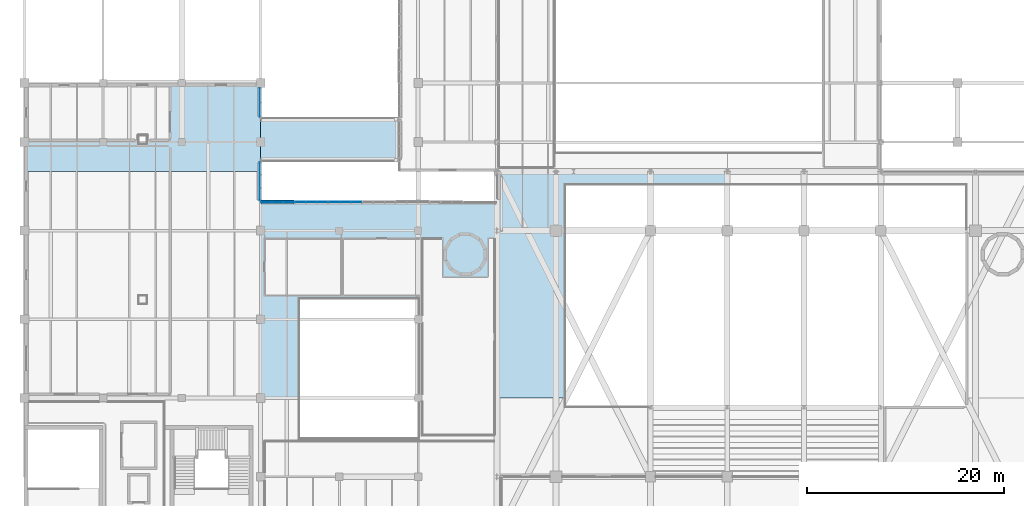
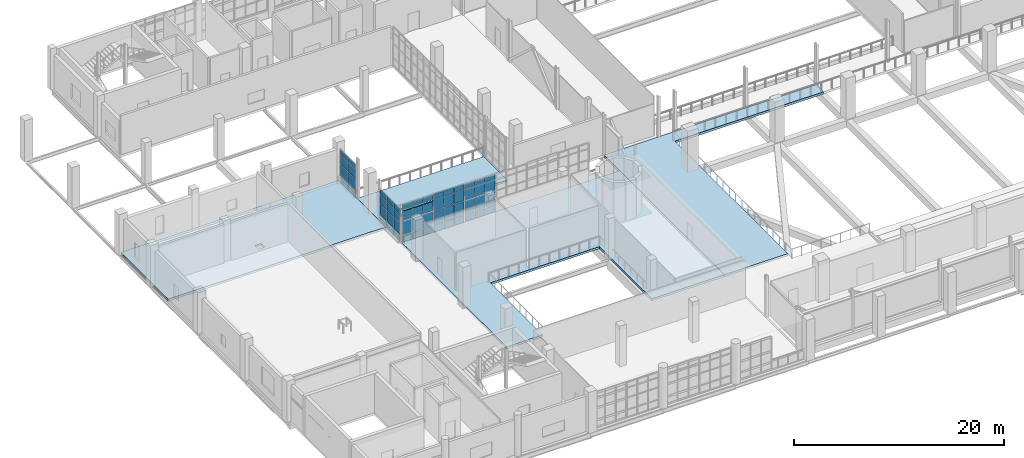
# One storey, part 62 of 100: 57 plates, 4 slabs, 5 elements without a shape of their own.
"""IFC4 building model written with IfcOpenShell, lengths in metres."""

from ifc_helpers import new_model, si_unit, derived_unit, direction, frame, origin, origin_2d, place, context, subcontext, project, spatial, polyline, rectangle, outline, extrude, material, layer, layer_set, type_object, element, aggregate, save


model = new_model("IFC4")

# Units and contexts
model_context = context("Model", 3, precision=1e-05, world=origin(), true_north=direction((0.0, 1.0)))
body_context = subcontext(model_context, "Body", "Model", "MODEL_VIEW")
ifc_project = project(units=[si_unit("LENGTHUNIT", "METRE"), si_unit("AREAUNIT", "SQUARE_METRE"), si_unit("VOLUMEUNIT", "CUBIC_METRE"), si_unit("PLANEANGLEUNIT", "RADIAN"), si_unit("MASSUNIT", "GRAM", prefix="KILO"), derived_unit("THERMALTRANSMITTANCEUNIT", [(si_unit("POWERUNIT", "WATT"), 1), (si_unit("LENGTHUNIT", "METRE"), -2), (si_unit("THERMODYNAMICTEMPERATUREUNIT", "KELVIN"), -1)])], contexts=[model_context])

# Site, building, storey
site_placement = place(None, origin())
site = spatial("IfcSite", under=ifc_project, at=site_placement, CompositionType="ELEMENT")
building_placement = place(site_placement, origin())
building = spatial("IfcBuilding", under=site, at=building_placement, Name="Nallur Shell Playhouse", CompositionType="ELEMENT")
storey_placement = place(building_placement, frame((0.0, 0.0, 10.199951171875)))
storey = spatial("IfcBuildingStorey", under=building, at=storey_placement, Name="L03", CompositionType="ELEMENT", Elevation=10.199951171875)

# Curtain wall, plates
ifc_material_1 = material(Name="Anodised Aluminium Double-Glazed Facade System", Category="aluminium")
ifc_layer_1 = layer(ifc_material_1, 0.172119140625)
ifc_layer_set_1 = layer_set([ifc_layer_1], Name="Anodised Aluminium Double-Glazed Facade System")
curtain_wall_type_1 = type_object("IfcCurtainWallType", Name="CW-UNIT-27", PredefinedType="NOTDEFINED", material=ifc_layer_set_1)
curtain_wall_1_placement = place(storey_placement, origin())
curtain_wall_1 = element("IfcCurtainWall", 1, at=curtain_wall_1_placement, inside=storey, type_object=curtain_wall_type_1, Name="Unitised curtain wall CW-059 (L03)", PredefinedType="NOTDEFINED")
ifc_material_2 = material(Name="Solar-Control Low-E Laminated Insulating Glass", Category="glass")
ifc_layer_2 = layer(ifc_material_2, 0.030029296875)
ifc_layer_set_2 = layer_set([ifc_layer_2], Name="Solar-Control Low-E Laminated Insulating Glass")
plate_type_1 = type_object("IfcPlateType", Name="PT-GLZ-03", PredefinedType="CURTAIN_PANEL", material=ifc_layer_set_2)
plate_1_placement = place(storey_placement, frame((39.909912109375, 47.313232421875, 0.05712890625), z_axis=(0.0, 0.0, 1.0), x_axis=(0.0, -1.0, 0.0)))
plate_1 = element("IfcPlate", 2, at=plate_1_placement, type_object=plate_type_1, Name="CW-27 panel 1.1", PredefinedType="CURTAIN_PANEL", context=body_context, shape_type="SweptSolid", body=[
    extrude(rectangle(XDim=1.229248046875, YDim=0.030029296875, at=origin_2d()), origin(), (0.0, 0.0, 1.0), 0.818603515625),
])
plate_2_placement = place(storey_placement, frame((39.909912109375, 47.313232421875, 0.9248046875), z_axis=(0.0, 0.0, 1.0), x_axis=(0.0, -1.0, 0.0)))
plate_2 = element("IfcPlate", 3, at=plate_2_placement, type_object=plate_type_1, Name="CW-27 panel 1.2", PredefinedType="CURTAIN_PANEL", context=body_context, shape_type="SweptSolid", body=[
    extrude(rectangle(XDim=1.229248046875, YDim=0.030029296875, at=origin_2d()), origin(), (0.0, 0.0, 1.0), 1.242919921875),
])
plate_3_placement = place(storey_placement, frame((39.909912109375, 47.313232421875, 2.216796875), z_axis=(0.0, 0.0, 1.0), x_axis=(0.0, -1.0, 0.0)))
plate_3 = element("IfcPlate", 4, at=plate_3_placement, type_object=plate_type_1, Name="CW-27 panel 1.3", PredefinedType="CURTAIN_PANEL", context=body_context, shape_type="SweptSolid", body=[
    extrude(rectangle(XDim=1.229248046875, YDim=0.030029296875, at=origin_2d()), origin(), (0.0, 0.0, 1.0), 0.993896484375),
])
plate_4_placement = place(storey_placement, frame((39.909912109375, 47.313232421875, 3.259765625), z_axis=(0.0, 0.0, 1.0), x_axis=(0.0, -1.0, 0.0)))
plate_4 = element("IfcPlate", 5, at=plate_4_placement, type_object=plate_type_1, Name="CW-27 panel 1.4", PredefinedType="CURTAIN_PANEL", context=body_context, shape_type="SweptSolid", body=[
    extrude(rectangle(XDim=1.229248046875, YDim=0.030029296875, at=origin_2d()), origin(), (0.0, 0.0, 1.0), 0.598388671875),
])
plate_5_placement = place(storey_placement, frame((39.909912109375, 46.0, 0.05712890625), z_axis=(0.0, 0.0, 1.0), x_axis=(0.0, -1.0, 0.0)))
plate_5 = element("IfcPlate", 6, at=plate_5_placement, type_object=plate_type_1, Name="CW-27 panel 2.1", PredefinedType="CURTAIN_PANEL", context=body_context, shape_type="SweptSolid", body=[
    extrude(rectangle(XDim=1.269287109375, YDim=0.030029296875, at=origin_2d()), origin(), (0.0, 0.0, 1.0), 0.818603515625),
])
plate_6_placement = place(storey_placement, frame((39.909912109375, 46.0, 0.9248046875), z_axis=(0.0, 0.0, 1.0), x_axis=(0.0, -1.0, 0.0)))
plate_6 = element("IfcPlate", 7, at=plate_6_placement, type_object=plate_type_1, Name="CW-27 panel 2.2", PredefinedType="CURTAIN_PANEL", context=body_context, shape_type="SweptSolid", body=[
    extrude(rectangle(XDim=1.269287109375, YDim=0.030029296875, at=origin_2d()), origin(), (0.0, 0.0, 1.0), 1.242919921875),
])
plate_7_placement = place(storey_placement, frame((39.909912109375, 46.0, 2.216796875), z_axis=(0.0, 0.0, 1.0), x_axis=(0.0, -1.0, 0.0)))
plate_7 = element("IfcPlate", 8, at=plate_7_placement, type_object=plate_type_1, Name="CW-27 panel 2.3", PredefinedType="CURTAIN_PANEL", context=body_context, shape_type="SweptSolid", body=[
    extrude(rectangle(XDim=1.269287109375, YDim=0.030029296875, at=origin_2d()), origin(), (0.0, 0.0, 1.0), 0.993896484375),
])
plate_8_placement = place(storey_placement, frame((39.909912109375, 46.0, 3.259765625), z_axis=(0.0, 0.0, 1.0), x_axis=(0.0, -1.0, 0.0)))
plate_8 = element("IfcPlate", 9, at=plate_8_placement, type_object=plate_type_1, Name="CW-27 panel 2.4", PredefinedType="CURTAIN_PANEL", context=body_context, shape_type="SweptSolid", body=[
    extrude(rectangle(XDim=1.269287109375, YDim=0.030029296875, at=origin_2d()), origin(), (0.0, 0.0, 1.0), 0.598388671875),
])
plate_9_placement = place(storey_placement, frame((39.909912109375, 44.686767578125, 0.05712890625), z_axis=(0.0, 0.0, 1.0), x_axis=(0.0, -1.0, 0.0)))
plate_9 = element("IfcPlate", 10, at=plate_9_placement, type_object=plate_type_1, Name="CW-27 panel 3.1", PredefinedType="CURTAIN_PANEL", context=body_context, shape_type="SweptSolid", body=[
    extrude(rectangle(XDim=1.229248046875, YDim=0.030029296875, at=origin_2d()), origin(), (0.0, 0.0, 1.0), 0.818603515625),
])
plate_10_placement = place(storey_placement, frame((39.909912109375, 44.686767578125, 0.9248046875), z_axis=(0.0, 0.0, 1.0), x_axis=(0.0, -1.0, 0.0)))
plate_10 = element("IfcPlate", 11, at=plate_10_placement, type_object=plate_type_1, Name="CW-27 panel 3.2", PredefinedType="CURTAIN_PANEL", context=body_context, shape_type="SweptSolid", body=[
    extrude(rectangle(XDim=1.229248046875, YDim=0.030029296875, at=origin_2d()), origin(), (0.0, 0.0, 1.0), 1.242919921875),
])
plate_11_placement = place(storey_placement, frame((39.909912109375, 44.686767578125, 2.216796875), z_axis=(0.0, 0.0, 1.0), x_axis=(0.0, -1.0, 0.0)))
plate_11 = element("IfcPlate", 12, at=plate_11_placement, type_object=plate_type_1, Name="CW-27 panel 3.3", PredefinedType="CURTAIN_PANEL", context=body_context, shape_type="SweptSolid", body=[
    extrude(rectangle(XDim=1.229248046875, YDim=0.030029296875, at=origin_2d()), origin(), (0.0, 0.0, 1.0), 0.993896484375),
])
plate_12_placement = place(storey_placement, frame((39.909912109375, 44.686767578125, 3.259765625), z_axis=(0.0, 0.0, 1.0), x_axis=(0.0, -1.0, 0.0)))
plate_12 = element("IfcPlate", 13, at=plate_12_placement, type_object=plate_type_1, Name="CW-27 panel 3.4", PredefinedType="CURTAIN_PANEL", context=body_context, shape_type="SweptSolid", body=[
    extrude(rectangle(XDim=1.229248046875, YDim=0.030029296875, at=origin_2d()), origin(), (0.0, 0.0, 1.0), 0.598388671875),
])
aggregate(curtain_wall_1, [plate_1, plate_2, plate_3, plate_4, plate_5, plate_6, plate_7, plate_8, plate_9, plate_10, plate_11, plate_12])

ifc_layer_3 = layer(ifc_material_1, 0.176025390625)
ifc_layer_set_3 = layer_set([ifc_layer_3], Name="Anodised Aluminium Double-Glazed Facade System")
curtain_wall_type_2 = type_object("IfcCurtainWallType", Name="CW-UNIT-28", PredefinedType="NOTDEFINED", material=ifc_layer_set_3)
curtain_wall_2_placement = place(storey_placement, origin())
curtain_wall_2 = element("IfcCurtainWall", 14, at=curtain_wall_2_placement, inside=storey, type_object=curtain_wall_type_2, Name="Unitised curtain wall CW-060 (L03)", PredefinedType="NOTDEFINED")
ifc_layer_4 = layer(ifc_material_2, 0.031982421875)
ifc_layer_set_4 = layer_set([ifc_layer_4], Name="Solar-Control Low-E Laminated Insulating Glass")
plate_type_2 = type_object("IfcPlateType", Name="PT-GLZ-04", PredefinedType="CURTAIN_PANEL", material=ifc_layer_set_4)
plate_13_placement = place(storey_placement, frame((40.58935546875, 43.909912109375, 0.092041015625), z_axis=(0.0, 0.0, 1.0), x_axis=(1.0, 0.0, 0.0)))
plate_13 = element("IfcPlate", 15, at=plate_13_placement, type_object=plate_type_2, Name="CW-28 panel 1.1", PredefinedType="CURTAIN_PANEL", context=body_context, shape_type="SweptSolid", body=[
    extrude(rectangle(XDim=1.044677734375, YDim=0.031982421875, at=origin_2d()), origin(), (0.0, 0.0, 1.0), 0.76611328125),
])
plate_14_placement = place(storey_placement, frame((40.58935546875, 43.909912109375, 0.94189453125), z_axis=(0.0, 0.0, 1.0), x_axis=(1.0, 0.0, 0.0)))
plate_14 = element("IfcPlate", 16, at=plate_14_placement, type_object=plate_type_2, Name="CW-28 panel 1.2", PredefinedType="CURTAIN_PANEL", context=body_context, shape_type="SweptSolid", body=[
    extrude(rectangle(XDim=1.044677734375, YDim=0.031982421875, at=origin_2d()), origin(), (0.0, 0.0, 1.0), 1.55810546875),
])
plate_15_placement = place(storey_placement, frame((40.58935546875, 43.909912109375, 2.583984375), z_axis=(0.0, 0.0, 1.0), x_axis=(1.0, 0.0, 0.0)))
plate_15 = element("IfcPlate", 17, at=plate_15_placement, type_object=plate_type_2, Name="CW-28 panel 1.3", PredefinedType="CURTAIN_PANEL", context=body_context, shape_type="SweptSolid", body=[
    extrude(rectangle(XDim=1.044677734375, YDim=0.031982421875, at=origin_2d()), origin(), (0.0, 0.0, 1.0), 1.23388671875),
])
plate_16_placement = place(storey_placement, frame((40.58935546875, 43.909912109375, 3.902099609375), z_axis=(0.0, 0.0, 1.0), x_axis=(1.0, 0.0, 0.0)))
plate_16 = element("IfcPlate", 18, at=plate_16_placement, type_object=plate_type_2, Name="CW-28 panel 1.4", PredefinedType="CURTAIN_PANEL", context=body_context, shape_type="SweptSolid", body=[
    extrude(rectangle(XDim=1.044677734375, YDim=0.031982421875, at=origin_2d()), origin(), (0.0, 0.0, 1.0), 0.5458984375),
])
plate_17_placement = place(storey_placement, frame((41.7119140625, 43.909912109375, 0.092041015625), z_axis=(0.0, 0.0, 1.0), x_axis=(1.0, 0.0, 0.0)))
plate_17 = element("IfcPlate", 19, at=plate_17_placement, type_object=plate_type_2, Name="CW-28 panel 2.1", PredefinedType="CURTAIN_PANEL", context=body_context, shape_type="SweptSolid", body=[
    extrude(rectangle(XDim=1.082275390625, YDim=0.031982421875, at=origin_2d()), origin(), (0.0, 0.0, 1.0), 0.76611328125),
])
plate_18_placement = place(storey_placement, frame((41.7119140625, 43.909912109375, 0.94189453125), z_axis=(0.0, 0.0, 1.0), x_axis=(1.0, 0.0, 0.0)))
plate_18 = element("IfcPlate", 20, at=plate_18_placement, type_object=plate_type_2, Name="CW-28 panel 2.2", PredefinedType="CURTAIN_PANEL", context=body_context, shape_type="SweptSolid", body=[
    extrude(rectangle(XDim=1.082275390625, YDim=0.031982421875, at=origin_2d()), origin(), (0.0, 0.0, 1.0), 1.55810546875),
])
plate_19_placement = place(storey_placement, frame((41.7119140625, 43.909912109375, 2.583984375), z_axis=(0.0, 0.0, 1.0), x_axis=(1.0, 0.0, 0.0)))
plate_19 = element("IfcPlate", 21, at=plate_19_placement, type_object=plate_type_2, Name="CW-28 panel 2.3", PredefinedType="CURTAIN_PANEL", context=body_context, shape_type="SweptSolid", body=[
    extrude(rectangle(XDim=1.082275390625, YDim=0.031982421875, at=origin_2d()), origin(), (0.0, 0.0, 1.0), 1.23388671875),
])
plate_20_placement = place(storey_placement, frame((41.7119140625, 43.909912109375, 3.902099609375), z_axis=(0.0, 0.0, 1.0), x_axis=(1.0, 0.0, 0.0)))
plate_20 = element("IfcPlate", 22, at=plate_20_placement, type_object=plate_type_2, Name="CW-28 panel 2.4", PredefinedType="CURTAIN_PANEL", context=body_context, shape_type="SweptSolid", body=[
    extrude(rectangle(XDim=1.082275390625, YDim=0.031982421875, at=origin_2d()), origin(), (0.0, 0.0, 1.0), 0.5458984375),
])
plate_21_placement = place(storey_placement, frame((42.834228515625, 43.909912109375, 0.092041015625), z_axis=(0.0, 0.0, 1.0), x_axis=(1.0, 0.0, 0.0)))
plate_21 = element("IfcPlate", 23, at=plate_21_placement, type_object=plate_type_2, Name="CW-28 panel 3.1", PredefinedType="CURTAIN_PANEL", context=body_context, shape_type="SweptSolid", body=[
    extrude(rectangle(XDim=1.044677734375, YDim=0.031982421875, at=origin_2d()), origin(), (0.0, 0.0, 1.0), 0.76611328125),
])
plate_22_placement = place(storey_placement, frame((42.834228515625, 43.909912109375, 0.94189453125), z_axis=(0.0, 0.0, 1.0), x_axis=(1.0, 0.0, 0.0)))
plate_22 = element("IfcPlate", 24, at=plate_22_placement, type_object=plate_type_2, Name="CW-28 panel 3.2", PredefinedType="CURTAIN_PANEL", context=body_context, shape_type="SweptSolid", body=[
    extrude(rectangle(XDim=1.044677734375, YDim=0.031982421875, at=origin_2d()), origin(), (0.0, 0.0, 1.0), 1.55810546875),
])
plate_23_placement = place(storey_placement, frame((42.834228515625, 43.909912109375, 2.583984375), z_axis=(0.0, 0.0, 1.0), x_axis=(1.0, 0.0, 0.0)))
plate_23 = element("IfcPlate", 25, at=plate_23_placement, type_object=plate_type_2, Name="CW-28 panel 3.3", PredefinedType="CURTAIN_PANEL", context=body_context, shape_type="SweptSolid", body=[
    extrude(rectangle(XDim=1.044677734375, YDim=0.031982421875, at=origin_2d()), origin(), (0.0, 0.0, 1.0), 1.23388671875),
])
plate_24_placement = place(storey_placement, frame((42.834228515625, 43.909912109375, 3.902099609375), z_axis=(0.0, 0.0, 1.0), x_axis=(1.0, 0.0, 0.0)))
plate_24 = element("IfcPlate", 26, at=plate_24_placement, type_object=plate_type_2, Name="CW-28 panel 3.4", PredefinedType="CURTAIN_PANEL", context=body_context, shape_type="SweptSolid", body=[
    extrude(rectangle(XDim=1.044677734375, YDim=0.031982421875, at=origin_2d()), origin(), (0.0, 0.0, 1.0), 0.5458984375),
])
aggregate(curtain_wall_2, [plate_13, plate_14, plate_15, plate_16, plate_17, plate_18, plate_19, plate_20, plate_21, plate_22, plate_23, plate_24])

ifc_layer_5 = layer(ifc_material_1, 0.179931640625)
ifc_layer_set_5 = layer_set([ifc_layer_5], Name="Anodised Aluminium Double-Glazed Facade System")
curtain_wall_type_3 = type_object("IfcCurtainWallType", Name="CW-UNIT-29", PredefinedType="NOTDEFINED", material=ifc_layer_set_5)
curtain_wall_3_placement = place(storey_placement, origin())
curtain_wall_3 = element("IfcCurtainWall", 27, at=curtain_wall_3_placement, inside=storey, type_object=curtain_wall_type_3, Name="Unitised curtain wall CW-061 (L03)", PredefinedType="NOTDEFINED")
ifc_layer_6 = layer(ifc_material_2, 0.033935546875)
ifc_layer_set_6 = layer_set([ifc_layer_6], Name="Solar-Control Low-E Laminated Insulating Glass")
plate_type_3 = type_object("IfcPlateType", Name="PT-GLZ-05", PredefinedType="CURTAIN_PANEL", material=ifc_layer_set_6)
plate_25_placement = place(storey_placement, frame((44.01953125, 43.909912109375, 0.05712890625), z_axis=(0.0, 0.0, 1.0), x_axis=(1.0, 0.0, 0.0)))
plate_25 = element("IfcPlate", 28, at=plate_25_placement, type_object=plate_type_3, Name="CW-29 panel 1.1", PredefinedType="CURTAIN_PANEL", context=body_context, shape_type="SweptSolid", body=[
    extrude(rectangle(XDim=1.05810546875, YDim=0.033935546875, at=origin_2d()), origin(), (0.0, 0.0, 1.0), 0.818603515625),
])
plate_26_placement = place(storey_placement, frame((44.01953125, 43.909912109375, 0.924560546875), z_axis=(0.0, 0.0, 1.0), x_axis=(1.0, 0.0, 0.0)))
plate_26 = element("IfcPlate", 29, at=plate_26_placement, type_object=plate_type_3, Name="CW-29 panel 1.2", PredefinedType="CURTAIN_PANEL", context=body_context, shape_type="SweptSolid", body=[
    extrude(rectangle(XDim=1.05810546875, YDim=0.033935546875, at=origin_2d()), origin(), (0.0, 0.0, 1.0), 1.58203125),
])
plate_27_placement = place(storey_placement, frame((44.01953125, 43.909912109375, 2.5556640625), z_axis=(0.0, 0.0, 1.0), x_axis=(1.0, 0.0, 0.0)))
plate_27 = element("IfcPlate", 30, at=plate_27_placement, type_object=plate_type_3, Name="CW-29 panel 1.3", PredefinedType="CURTAIN_PANEL", context=body_context, shape_type="SweptSolid", body=[
    extrude(rectangle(XDim=1.05810546875, YDim=0.033935546875, at=origin_2d()), origin(), (0.0, 0.0, 1.0), 1.260009765625),
])
plate_28_placement = place(storey_placement, frame((44.01953125, 43.909912109375, 3.86474609375), z_axis=(0.0, 0.0, 1.0), x_axis=(1.0, 0.0, 0.0)))
plate_28 = element("IfcPlate", 31, at=plate_28_placement, type_object=plate_type_3, Name="CW-29 panel 1.4", PredefinedType="CURTAIN_PANEL", context=body_context, shape_type="SweptSolid", body=[
    extrude(rectangle(XDim=1.05810546875, YDim=0.033935546875, at=origin_2d()), origin(), (0.0, 0.0, 1.0), 0.598388671875),
])
plate_29_placement = place(storey_placement, frame((45.142822265625, 43.909912109375, 0.05712890625), z_axis=(0.0, 0.0, 1.0), x_axis=(1.0, 0.0, 0.0)))
plate_29 = element("IfcPlate", 32, at=plate_29_placement, type_object=plate_type_3, Name="CW-29 panel 2.1", PredefinedType="CURTAIN_PANEL", context=body_context, shape_type="SweptSolid", body=[
    extrude(rectangle(XDim=1.090576171875, YDim=0.033935546875, at=origin_2d()), origin(), (0.0, 0.0, 1.0), 0.818603515625),
])
plate_30_placement = place(storey_placement, frame((45.142822265625, 43.909912109375, 0.924560546875), z_axis=(0.0, 0.0, 1.0), x_axis=(1.0, 0.0, 0.0)))
plate_30 = element("IfcPlate", 33, at=plate_30_placement, type_object=plate_type_3, Name="CW-29 panel 2.2", PredefinedType="CURTAIN_PANEL", context=body_context, shape_type="SweptSolid", body=[
    extrude(rectangle(XDim=1.090576171875, YDim=0.033935546875, at=origin_2d()), origin(), (0.0, 0.0, 1.0), 1.58203125),
])
plate_31_placement = place(storey_placement, frame((45.142822265625, 43.909912109375, 2.5556640625), z_axis=(0.0, 0.0, 1.0), x_axis=(1.0, 0.0, 0.0)))
plate_31 = element("IfcPlate", 34, at=plate_31_placement, type_object=plate_type_3, Name="CW-29 panel 2.3", PredefinedType="CURTAIN_PANEL", context=body_context, shape_type="SweptSolid", body=[
    extrude(rectangle(XDim=1.090576171875, YDim=0.033935546875, at=origin_2d()), origin(), (0.0, 0.0, 1.0), 1.260009765625),
])
plate_32_placement = place(storey_placement, frame((45.142822265625, 43.909912109375, 3.86474609375), z_axis=(0.0, 0.0, 1.0), x_axis=(1.0, 0.0, 0.0)))
plate_32 = element("IfcPlate", 35, at=plate_32_placement, type_object=plate_type_3, Name="CW-29 panel 2.4", PredefinedType="CURTAIN_PANEL", context=body_context, shape_type="SweptSolid", body=[
    extrude(rectangle(XDim=1.090576171875, YDim=0.033935546875, at=origin_2d()), origin(), (0.0, 0.0, 1.0), 0.598388671875),
])
plate_33_placement = place(storey_placement, frame((46.26611328125, 43.909912109375, 0.05712890625), z_axis=(0.0, 0.0, 1.0), x_axis=(1.0, 0.0, 0.0)))
plate_33 = element("IfcPlate", 36, at=plate_33_placement, type_object=plate_type_3, Name="CW-29 panel 3.1", PredefinedType="CURTAIN_PANEL", context=body_context, shape_type="SweptSolid", body=[
    extrude(rectangle(XDim=1.05810546875, YDim=0.033935546875, at=origin_2d()), origin(), (0.0, 0.0, 1.0), 0.818603515625),
])
plate_34_placement = place(storey_placement, frame((46.26611328125, 43.909912109375, 0.924560546875), z_axis=(0.0, 0.0, 1.0), x_axis=(1.0, 0.0, 0.0)))
plate_34 = element("IfcPlate", 37, at=plate_34_placement, type_object=plate_type_3, Name="CW-29 panel 3.2", PredefinedType="CURTAIN_PANEL", context=body_context, shape_type="SweptSolid", body=[
    extrude(rectangle(XDim=1.05810546875, YDim=0.033935546875, at=origin_2d()), origin(), (0.0, 0.0, 1.0), 1.58203125),
])
plate_35_placement = place(storey_placement, frame((46.26611328125, 43.909912109375, 2.5556640625), z_axis=(0.0, 0.0, 1.0), x_axis=(1.0, 0.0, 0.0)))
plate_35 = element("IfcPlate", 38, at=plate_35_placement, type_object=plate_type_3, Name="CW-29 panel 3.3", PredefinedType="CURTAIN_PANEL", context=body_context, shape_type="SweptSolid", body=[
    extrude(rectangle(XDim=1.05810546875, YDim=0.033935546875, at=origin_2d()), origin(), (0.0, 0.0, 1.0), 1.260009765625),
])
plate_36_placement = place(storey_placement, frame((46.26611328125, 43.909912109375, 3.86474609375), z_axis=(0.0, 0.0, 1.0), x_axis=(1.0, 0.0, 0.0)))
plate_36 = element("IfcPlate", 39, at=plate_36_placement, type_object=plate_type_3, Name="CW-29 panel 3.4", PredefinedType="CURTAIN_PANEL", context=body_context, shape_type="SweptSolid", body=[
    extrude(rectangle(XDim=1.05810546875, YDim=0.033935546875, at=origin_2d()), origin(), (0.0, 0.0, 1.0), 0.598388671875),
])
aggregate(curtain_wall_3, [plate_25, plate_26, plate_27, plate_28, plate_29, plate_30, plate_31, plate_32, plate_33, plate_34, plate_35, plate_36])

ifc_layer_7 = layer(ifc_material_1, 0.159912109375)
ifc_layer_set_7 = layer_set([ifc_layer_7], Name="Anodised Aluminium Double-Glazed Facade System")
curtain_wall_type_4 = type_object("IfcCurtainWallType", Name="CW-UNIT-30", PredefinedType="NOTDEFINED", material=ifc_layer_set_7)
curtain_wall_4_placement = place(storey_placement, origin())
curtain_wall_4 = element("IfcCurtainWall", 40, at=curtain_wall_4_placement, inside=storey, type_object=curtain_wall_type_4, Name="Unitised curtain wall CW-062 (L03)", PredefinedType="NOTDEFINED")
ifc_layer_8 = layer(ifc_material_2, 0.035888671875)
ifc_layer_set_8 = layer_set([ifc_layer_8], Name="Solar-Control Low-E Laminated Insulating Glass")
plate_type_4 = type_object("IfcPlateType", Name="PT-GLZ-06", PredefinedType="CURTAIN_PANEL", material=ifc_layer_set_8)
plate_37_placement = place(storey_placement, frame((47.451904296875, 43.909912109375, 0.092041015625), z_axis=(0.0, 0.0, 1.0), x_axis=(1.0, 0.0, 0.0)))
plate_37 = element("IfcPlate", 41, at=plate_37_placement, type_object=plate_type_4, Name="CW-30 panel 1.1", PredefinedType="CURTAIN_PANEL", context=body_context, shape_type="SweptSolid", body=[
    extrude(rectangle(XDim=1.03564453125, YDim=0.035888671875, at=origin_2d()), origin(), (0.0, 0.0, 1.0), 0.76611328125),
])
plate_38_placement = place(storey_placement, frame((47.451904296875, 43.909912109375, 0.94189453125), z_axis=(0.0, 0.0, 1.0), x_axis=(1.0, 0.0, 0.0)))
plate_38 = element("IfcPlate", 42, at=plate_38_placement, type_object=plate_type_4, Name="CW-30 panel 1.2", PredefinedType="CURTAIN_PANEL", context=body_context, shape_type="SweptSolid", body=[
    extrude(rectangle(XDim=1.03564453125, YDim=0.035888671875, at=origin_2d()), origin(), (0.0, 0.0, 1.0), 1.535888671875),
])
plate_39_placement = place(storey_placement, frame((47.451904296875, 43.909912109375, 2.56201171875), z_axis=(0.0, 0.0, 1.0), x_axis=(1.0, 0.0, 0.0)))
plate_39 = element("IfcPlate", 43, at=plate_39_placement, type_object=plate_type_4, Name="CW-30 panel 1.3", PredefinedType="CURTAIN_PANEL", context=body_context, shape_type="SweptSolid", body=[
    extrude(rectangle(XDim=1.03564453125, YDim=0.035888671875, at=origin_2d()), origin(), (0.0, 0.0, 1.0), 1.216064453125),
])
plate_40_placement = place(storey_placement, frame((47.451904296875, 43.909912109375, 3.862060546875), z_axis=(0.0, 0.0, 1.0), x_axis=(1.0, 0.0, 0.0)))
plate_40 = element("IfcPlate", 44, at=plate_40_placement, type_object=plate_type_4, Name="CW-30 panel 1.4", PredefinedType="CURTAIN_PANEL", context=body_context, shape_type="SweptSolid", body=[
    extrude(rectangle(XDim=1.03564453125, YDim=0.035888671875, at=origin_2d()), origin(), (0.0, 0.0, 1.0), 0.5458984375),
])
plate_41_placement = place(storey_placement, frame((48.5712890625, 43.909912109375, 0.092041015625), z_axis=(0.0, 0.0, 1.0), x_axis=(1.0, 0.0, 0.0)))
plate_41 = element("IfcPlate", 45, at=plate_41_placement, type_object=plate_type_4, Name="CW-30 panel 2.1", PredefinedType="CURTAIN_PANEL", context=body_context, shape_type="SweptSolid", body=[
    extrude(rectangle(XDim=1.075439453125, YDim=0.035888671875, at=origin_2d()), origin(), (0.0, 0.0, 1.0), 0.76611328125),
])
plate_42_placement = place(storey_placement, frame((48.5712890625, 43.909912109375, 0.94189453125), z_axis=(0.0, 0.0, 1.0), x_axis=(1.0, 0.0, 0.0)))
plate_42 = element("IfcPlate", 46, at=plate_42_placement, type_object=plate_type_4, Name="CW-30 panel 2.2", PredefinedType="CURTAIN_PANEL", context=body_context, shape_type="SweptSolid", body=[
    extrude(rectangle(XDim=1.075439453125, YDim=0.035888671875, at=origin_2d()), origin(), (0.0, 0.0, 1.0), 1.535888671875),
])
plate_43_placement = place(storey_placement, frame((48.5712890625, 43.909912109375, 2.56201171875), z_axis=(0.0, 0.0, 1.0), x_axis=(1.0, 0.0, 0.0)))
plate_43 = element("IfcPlate", 47, at=plate_43_placement, type_object=plate_type_4, Name="CW-30 panel 2.3", PredefinedType="CURTAIN_PANEL", context=body_context, shape_type="SweptSolid", body=[
    extrude(rectangle(XDim=1.075439453125, YDim=0.035888671875, at=origin_2d()), origin(), (0.0, 0.0, 1.0), 1.216064453125),
])
plate_44_placement = place(storey_placement, frame((48.5712890625, 43.909912109375, 3.862060546875), z_axis=(0.0, 0.0, 1.0), x_axis=(1.0, 0.0, 0.0)))
plate_44 = element("IfcPlate", 48, at=plate_44_placement, type_object=plate_type_4, Name="CW-30 panel 2.4", PredefinedType="CURTAIN_PANEL", context=body_context, shape_type="SweptSolid", body=[
    extrude(rectangle(XDim=1.075439453125, YDim=0.035888671875, at=origin_2d()), origin(), (0.0, 0.0, 1.0), 0.5458984375),
])
plate_45_placement = place(storey_placement, frame((49.69091796875, 43.909912109375, 0.092041015625), z_axis=(0.0, 0.0, 1.0), x_axis=(1.0, 0.0, 0.0)))
plate_45 = element("IfcPlate", 49, at=plate_45_placement, type_object=plate_type_4, Name="CW-30 panel 3.1", PredefinedType="CURTAIN_PANEL", context=body_context, shape_type="SweptSolid", body=[
    extrude(rectangle(XDim=1.03564453125, YDim=0.035888671875, at=origin_2d()), origin(), (0.0, 0.0, 1.0), 0.76611328125),
])
plate_46_placement = place(storey_placement, frame((49.69091796875, 43.909912109375, 0.94189453125), z_axis=(0.0, 0.0, 1.0), x_axis=(1.0, 0.0, 0.0)))
plate_46 = element("IfcPlate", 50, at=plate_46_placement, type_object=plate_type_4, Name="CW-30 panel 3.2", PredefinedType="CURTAIN_PANEL", context=body_context, shape_type="SweptSolid", body=[
    extrude(rectangle(XDim=1.03564453125, YDim=0.035888671875, at=origin_2d()), origin(), (0.0, 0.0, 1.0), 1.535888671875),
])
plate_47_placement = place(storey_placement, frame((49.69091796875, 43.909912109375, 2.56201171875), z_axis=(0.0, 0.0, 1.0), x_axis=(1.0, 0.0, 0.0)))
plate_47 = element("IfcPlate", 51, at=plate_47_placement, type_object=plate_type_4, Name="CW-30 panel 3.3", PredefinedType="CURTAIN_PANEL", context=body_context, shape_type="SweptSolid", body=[
    extrude(rectangle(XDim=1.03564453125, YDim=0.035888671875, at=origin_2d()), origin(), (0.0, 0.0, 1.0), 1.216064453125),
])
plate_48_placement = place(storey_placement, frame((49.69091796875, 43.909912109375, 3.862060546875), z_axis=(0.0, 0.0, 1.0), x_axis=(1.0, 0.0, 0.0)))
plate_48 = element("IfcPlate", 52, at=plate_48_placement, type_object=plate_type_4, Name="CW-30 panel 3.4", PredefinedType="CURTAIN_PANEL", context=body_context, shape_type="SweptSolid", body=[
    extrude(rectangle(XDim=1.03564453125, YDim=0.035888671875, at=origin_2d()), origin(), (0.0, 0.0, 1.0), 0.5458984375),
])
aggregate(curtain_wall_4, [plate_37, plate_38, plate_39, plate_40, plate_41, plate_42, plate_43, plate_44, plate_45, plate_46, plate_47, plate_48])

ifc_layer_9 = layer(ifc_material_1, 0.1640625)
ifc_layer_set_9 = layer_set([ifc_layer_9], Name="Anodised Aluminium Double-Glazed Facade System")
curtain_wall_type_5 = type_object("IfcCurtainWallType", Name="CW-UNIT-07", PredefinedType="NOTDEFINED", material=ifc_layer_set_9)
curtain_wall_5_placement = place(storey_placement, origin())
curtain_wall_5 = element("IfcCurtainWall", 53, at=curtain_wall_5_placement, inside=storey, type_object=curtain_wall_type_5, Name="Unitised curtain wall CW-103 (L03)", PredefinedType="NOTDEFINED")
ifc_layer_10 = layer(ifc_material_2, 0.0380859375)
ifc_layer_set_10 = layer_set([ifc_layer_10], Name="Solar-Control Low-E Laminated Insulating Glass")
plate_type_5 = type_object("IfcPlateType", Name="PT-GLZ-07", PredefinedType="CURTAIN_PANEL", material=ifc_layer_set_10)
plate_49_placement = place(storey_placement, frame((39.909912109375, 54.76513671875, 0.05712890625), z_axis=(0.0, 0.0, 1.0), x_axis=(0.0, -1.0, 0.0)))
plate_49 = element("IfcPlate", 54, at=plate_49_placement, type_object=plate_type_5, Name="CW-07 panel 1.1", PredefinedType="CURTAIN_PANEL", context=body_context, shape_type="SweptSolid", body=[
    extrude(rectangle(XDim=1.439453125, YDim=0.0380859375, at=origin_2d()), origin(), (0.0, 0.0, 1.0), 0.818603515625),
])
plate_50_placement = place(storey_placement, frame((39.909912109375, 54.76513671875, 0.924560546875), z_axis=(0.0, 0.0, 1.0), x_axis=(0.0, -1.0, 0.0)))
plate_50 = element("IfcPlate", 55, at=plate_50_placement, type_object=plate_type_5, Name="CW-07 panel 1.2", PredefinedType="CURTAIN_PANEL", context=body_context, shape_type="SweptSolid", body=[
    extrude(rectangle(XDim=1.439453125, YDim=0.0380859375, at=origin_2d()), origin(), (0.0, 0.0, 1.0), 1.27099609375),
])
plate_51_placement = place(storey_placement, frame((39.909912109375, 54.76513671875, 2.244384765625), z_axis=(0.0, 0.0, 1.0), x_axis=(0.0, -1.0, 0.0)))
plate_51 = element("IfcPlate", 56, at=plate_51_placement, type_object=plate_type_5, Name="CW-07 panel 1.3", PredefinedType="CURTAIN_PANEL", context=body_context, shape_type="SweptSolid", body=[
    extrude(rectangle(XDim=1.439453125, YDim=0.0380859375, at=origin_2d()), origin(), (0.0, 0.0, 1.0), 1.01611328125),
])
plate_52_placement = place(storey_placement, frame((39.909912109375, 54.76513671875, 3.3095703125), z_axis=(0.0, 0.0, 1.0), x_axis=(0.0, -1.0, 0.0)))
plate_52 = element("IfcPlate", 57, at=plate_52_placement, type_object=plate_type_5, Name="CW-07 panel 1.4", PredefinedType="CURTAIN_PANEL", context=body_context, shape_type="SweptSolid", body=[
    extrude(rectangle(XDim=1.439453125, YDim=0.0380859375, at=origin_2d()), origin(), (0.0, 0.0, 1.0), 0.598388671875),
])
plate_53_placement = place(storey_placement, frame((39.909912109375, 53.27685546875, 0.05712890625), z_axis=(0.0, 0.0, 1.0), x_axis=(0.0, -1.0, 0.0)))
plate_53 = element("IfcPlate", 58, at=plate_53_placement, type_object=plate_type_5, Name="CW-07 panel 2.1", PredefinedType="CURTAIN_PANEL", context=body_context, shape_type="SweptSolid", body=[
    extrude(rectangle(XDim=1.439453125, YDim=0.0380859375, at=origin_2d()), origin(), (0.0, 0.0, 1.0), 0.818603515625),
])
plate_54_placement = place(storey_placement, frame((39.909912109375, 53.27685546875, 0.924560546875), z_axis=(0.0, 0.0, 1.0), x_axis=(0.0, -1.0, 0.0)))
plate_54 = element("IfcPlate", 59, at=plate_54_placement, type_object=plate_type_5, Name="CW-07 panel 2.2", PredefinedType="CURTAIN_PANEL", context=body_context, shape_type="SweptSolid", body=[
    extrude(rectangle(XDim=1.439453125, YDim=0.0380859375, at=origin_2d()), origin(), (0.0, 0.0, 1.0), 1.27099609375),
])
plate_55_placement = place(storey_placement, frame((39.909912109375, 53.27685546875, 2.244384765625), z_axis=(0.0, 0.0, 1.0), x_axis=(0.0, -1.0, 0.0)))
plate_55 = element("IfcPlate", 60, at=plate_55_placement, type_object=plate_type_5, Name="CW-07 panel 2.3", PredefinedType="CURTAIN_PANEL", context=body_context, shape_type="SweptSolid", body=[
    extrude(rectangle(XDim=1.439453125, YDim=0.0380859375, at=origin_2d()), origin(), (0.0, 0.0, 1.0), 1.01611328125),
])
plate_56_placement = place(storey_placement, frame((39.909912109375, 53.27685546875, 3.3095703125), z_axis=(0.0, 0.0, 1.0), x_axis=(0.0, -1.0, 0.0)))
plate_56 = element("IfcPlate", 61, at=plate_56_placement, type_object=plate_type_5, Name="CW-07 panel 2.4", PredefinedType="CURTAIN_PANEL", context=body_context, shape_type="SweptSolid", body=[
    extrude(rectangle(XDim=1.439453125, YDim=0.0380859375, at=origin_2d()), origin(), (0.0, 0.0, 1.0), 0.598388671875),
])
aggregate(curtain_wall_5, [plate_49, plate_50, plate_51, plate_52, plate_53, plate_54, plate_55, plate_56])

# Plate
ifc_material_3 = material(Name="Terracotta & Gold-Anodised Monsoon Sunshade Blade", Category="masonry")
ifc_layer_11 = layer(ifc_material_3, 0.054931640625)
ifc_layer_set_11 = layer_set([ifc_layer_11], Name="Terracotta & Gold-Anodised Monsoon Sunshade Blade")
plate_type_6 = type_object("IfcPlateType", Name="PT-LOUVRE-03", PredefinedType="USERDEFINED", material=ifc_layer_set_11)
plate_57_placement = place(storey_placement, frame((41.7119140625, 43.909912109375, 3.83251953125), z_axis=(0.0, 0.0, 1.0), x_axis=(1.0, 0.0, 0.0)))
element("IfcPlate", 62, at=plate_57_placement, inside=storey, type_object=plate_type_6, Name="Monsoon sunshade louvre blade LV-015", ObjectType="SUNSHADE LOUVRE", PredefinedType="USERDEFINED", context=body_context, shape_type="SweptSolid", body=[
    extrude(rectangle(XDim=3.384033203125, YDim=0.419921875, at=origin_2d()), origin(), (0.0, 0.0, 1.0), 0.054931640625),
])

# Slabs
ifc_material_4 = material(Name="Concrete M35", Category="concrete")
ifc_layer_12 = layer(ifc_material_4, 0.22998046875)
ifc_layer_set_12 = layer_set([ifc_layer_12], Name="Concrete M35")
slab_type_1 = type_object("IfcSlabType", Name="SL-BRIDGE-230", PredefinedType="FLOOR", material=ifc_layer_set_12)
slab_1_placement = place(storey_placement, frame((0.0, 0.0, -0.22998046875)))
element("IfcSlab", 63, at=slab_1_placement, inside=storey, type_object=slab_type_1, Name="L03 structural floor slab panel 08", PredefinedType="FLOOR", context=body_context, shape_type="SweptSolid", body=[
    extrude(outline(polyline([(53.925048828125, 52.5), (53.925048828125, 48.0), (40.0, 48.0), (40.0, 52.5), (53.925048828125, 52.5)])), origin(), (0.0, 0.0, 1.0), 0.22998046875),
])
ifc_material_5 = material(Name="Concrete M30", Category="concrete")
ifc_layer_13 = layer(ifc_material_5, 0.260009765625)
ifc_layer_set_13 = layer_set([ifc_layer_13], Name="Concrete M30")
slab_type_2 = type_object("IfcSlabType", Name="SL-FLOOR-260", PredefinedType="FLOOR", material=ifc_layer_set_13)
slab_2_placement = place(storey_placement, frame((0.0, 0.0, -0.260009765625)))
element("IfcSlab", 64, at=slab_2_placement, inside=storey, type_object=slab_type_2, Name="L03 structural floor slab panel 03", PredefinedType="FLOOR", context=body_context, shape_type="SweptSolid", body=[
    extrude(outline(polyline([(40.0, 56.0), (40.0, 52.5), (40.0, 48.0), (40.0, 47.0), (16.0, 47.0), (16.0, 56.0), (40.0, 56.0)]), holes=[polyline([(27.64990234375, 49.89990234375), (28.35009765625, 49.89990234375), (28.35009765625, 50.60009765625), (27.64990234375, 50.60009765625), (27.64990234375, 49.89990234375)])]), origin(), (0.0, 0.0, 1.0), 0.260009765625),
])
slab_3_placement = place(storey_placement, frame((0.0, 0.0, -0.260009765625)))
element("IfcSlab", 65, at=slab_3_placement, inside=storey, type_object=slab_type_2, Name="L03 structural floor slab panel 07", PredefinedType="FLOOR", context=body_context, shape_type="SweptSolid", body=[
    extrude(outline(polyline([(64.0, 44.0), (64.0, 24.0), (56.0, 24.0), (56.0, 34.0), (44.0, 34.0), (44.0, 24.0), (40.0, 24.0), (40.0, 44.0), (64.0, 44.0)])), origin(), (0.0, 0.0, 1.0), 0.260009765625),
])
slab_4_placement = place(storey_placement, frame((0.0, 0.0, -0.260009765625)))
element("IfcSlab", 66, at=slab_4_placement, inside=storey, type_object=slab_type_2, Name="L03 structural floor slab panel 12", PredefinedType="FLOOR", context=body_context, shape_type="SweptSolid", body=[
    extrude(outline(polyline([(64.0, 47.0), (87.39990234375, 47.0), (87.39990234375, 45.60009765625), (71.0, 45.60009765625), (71.0, 24.0), (64.0, 24.0), (64.0, 44.0), (64.0, 47.0)])), origin(), (0.0, 0.0, 1.0), 0.260009765625),
])

save(model, "model.ifc")
